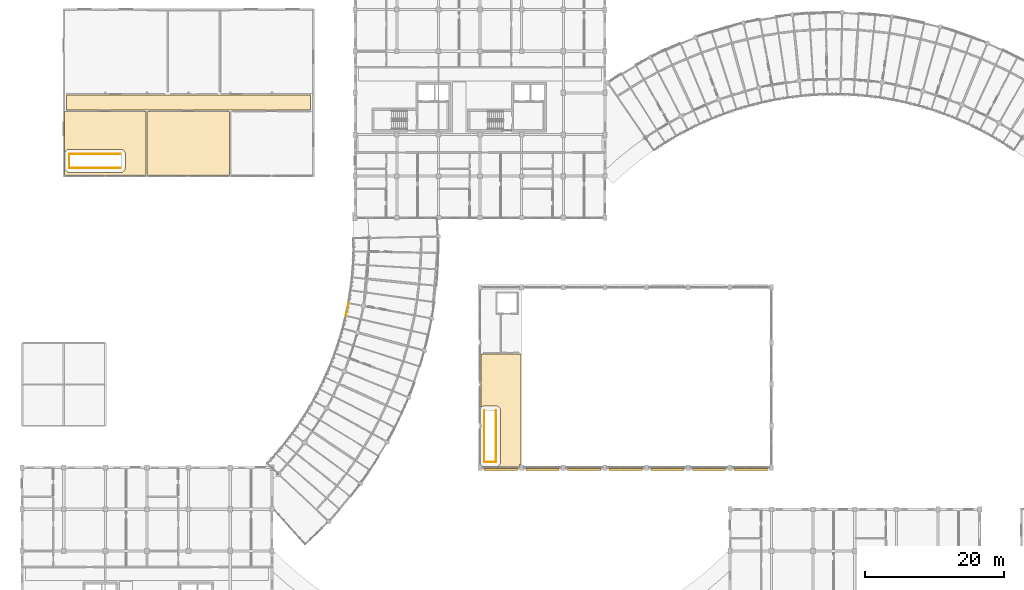
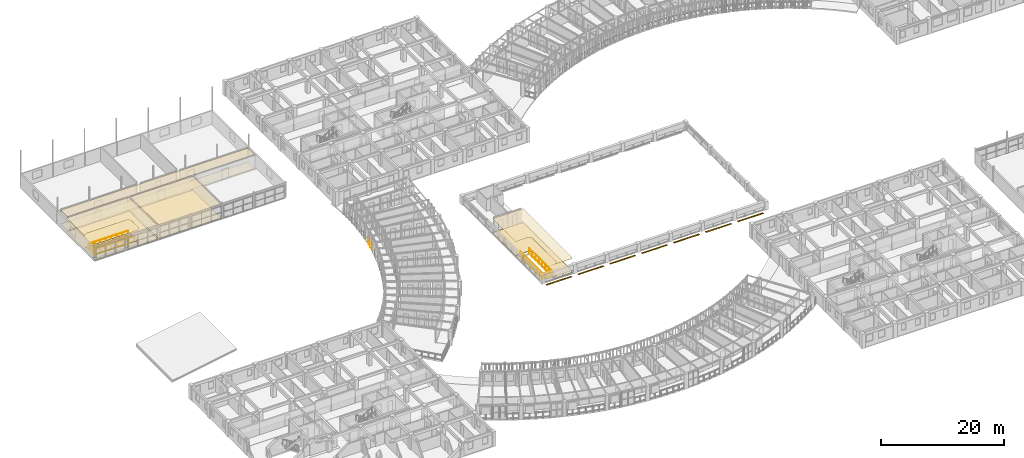
# One storey, part 128 of 137: 8 coverings, 7 railings, 7 shading devices.
"""IFC4 building model written with IfcOpenShell, lengths in metres."""

from ifc_helpers import new_model, si_unit, direction, frame, origin, origin_2d, place, context, subcontext, project, spatial, polyline, rectangle, circle, outline, extrude, material, layer, layer_set, type_object, element, save


model = new_model("IFC4")

# Units and contexts
model_context = context("Model", 3, precision=1e-05, world=origin(), true_north=direction((0.0, 1.0)))
body_context = subcontext(model_context, "Body", "Model", "MODEL_VIEW")
ifc_project = project(units=[si_unit("LENGTHUNIT", "METRE"), si_unit("AREAUNIT", "SQUARE_METRE"), si_unit("VOLUMEUNIT", "CUBIC_METRE"), si_unit("PLANEANGLEUNIT", "RADIAN"), si_unit("MASSUNIT", "GRAM", prefix="KILO"), si_unit("POWERUNIT", "WATT"), si_unit("THERMODYNAMICTEMPERATUREUNIT", "KELVIN")], contexts=[model_context])

# Site, building, storey
site_placement = place(None, origin())
site = spatial("IfcSite", under=ifc_project, at=site_placement, CompositionType="ELEMENT")
building_placement = place(site_placement, origin())
building = spatial("IfcBuilding", under=site, at=building_placement, Name="Ruvembo Vaulted Housing Court", CompositionType="ELEMENT")
storey_placement = place(building_placement, frame((0.0, 0.0, 4.5)))
storey = spatial("IfcBuildingStorey", under=building, at=storey_placement, Name="L01", CompositionType="ELEMENT", Elevation=4.5)

# Coverings
ifc_material_1 = material(Name="Perforated Mineral-Fibre Acoustic Tile", Category="gypsum")
ifc_layer_1 = layer(ifc_material_1, 0.02001953125, Name="Perforated Mineral-Fibre Acoustic Tile")
ifc_layer_set_1 = layer_set([ifc_layer_1], Name="Perforated Mineral-Fibre Acoustic Tile")
covering_type_1 = type_object("IfcCoveringType", Name="COV-CEIL-ACOUST", PredefinedType="CEILING", material=ifc_layer_set_1)
covering_1_placement = place(storey_placement, frame((0.0, 0.0, 2.75)))
element("IfcCovering", 1, at=covering_1_placement, inside=storey, type_object=covering_type_1, Name="Community Hall Mezzanine Reading Gallery Ceiling", PredefinedType="CEILING", context=body_context, shape_type="SweptSolid", body=[
    extrude(outline(polyline([(66.159912109375, 53.840087890625), (66.110107421875, 53.840087890625), (66.110107421875, 50.64599609375), (66.140380859375, 50.6796875), (66.1875, 50.722412109375), (66.239013671875, 50.760498046875), (66.293701171875, 50.793212890625), (66.351318359375, 50.820556640625), (66.411376953125, 50.842041015625), (66.47314453125, 50.857421875), (66.536376953125, 50.866943359375), (66.60009765625, 50.8701171875), (68.300048828125, 50.8701171875), (68.36376953125, 50.866943359375), (68.4267578125, 50.857421875), (68.48876953125, 50.842041015625), (68.548583984375, 50.820556640625), (68.6064453125, 50.793212890625), (68.6611328125, 50.760498046875), (68.71240234375, 50.722412109375), (68.759521484375, 50.6796875), (68.802490234375, 50.63232421875), (68.840576171875, 50.5810546875), (68.873291015625, 50.5263671875), (68.900390625, 50.46875), (68.922119140625, 50.40869140625), (68.9375, 50.3466796875), (68.947021484375, 50.28369140625), (68.949951171875, 50.219970703125), (68.949951171875, 42.800048828125), (68.947021484375, 42.736328125), (68.9375, 42.673095703125), (68.922119140625, 42.611328125), (68.900390625, 42.55126953125), (68.873291015625, 42.49365234375), (68.840576171875, 42.43896484375), (68.802490234375, 42.3876953125), (68.759521484375, 42.34033203125), (68.71240234375, 42.297607421875), (68.6611328125, 42.259521484375), (68.6064453125, 42.226806640625), (68.548583984375, 42.199462890625), (68.48876953125, 42.177978515625), (68.4267578125, 42.16259765625), (68.36376953125, 42.153076171875), (68.300048828125, 42.14990234375), (66.60009765625, 42.14990234375), (66.536376953125, 42.153076171875), (66.47314453125, 42.16259765625), (66.411376953125, 42.177978515625), (66.351318359375, 42.199462890625), (66.320068359375, 42.21435546875), (66.320068359375, 42.110107421875), (71.679931640625, 42.110107421875), (71.679931640625, 42.419921875), (71.889892578125, 42.419921875), (71.889892578125, 58.389892578125), (66.110107421875, 58.389892578125), (66.110107421875, 54.159912109375), (66.159912109375, 54.159912109375), (66.159912109375, 53.840087890625)])), origin(), (0.0, 0.0, 1.0), 0.02001953125),
])
covering_2_placement = place(storey_placement, frame((0.0, 0.0, 2.75)))
element("IfcCovering", 2, at=covering_2_placement, inside=storey, type_object=covering_type_1, Name="Nursery L01 Central Corridor Ceiling", PredefinedType="CEILING", context=body_context, shape_type="SweptSolid", body=[
    extrude(outline(polyline([(6.409912109375, 95.68994140625), (6.409912109375, 93.510009765625), (41.590087890625, 93.510009765625), (41.590087890625, 95.68994140625), (6.409912109375, 95.68994140625)])), origin(), (0.0, 0.0, 1.0), 0.02001953125),
])
covering_3_placement = place(storey_placement, frame((0.0, 0.0, 2.75)))
element("IfcCovering", 3, at=covering_3_placement, inside=storey, type_object=covering_type_1, Name="Nursery Upper Movement Studio Ceiling", PredefinedType="CEILING", context=body_context, shape_type="SweptSolid", body=[
    extrude(outline(polyline([(17.889892578125, 84.110107421875), (17.889892578125, 93.2900390625), (6.110107421875, 93.2900390625), (6.110107421875, 84.110107421875), (11.889892578125, 84.110107421875), (12.110107421875, 84.110107421875), (17.889892578125, 84.110107421875)]), holes=[polyline([(14.3466796875, 84.5625), (14.40869140625, 84.577880859375), (14.46875, 84.599609375), (14.5263671875, 84.626708984375), (14.5810546875, 84.659423828125), (14.63232421875, 84.697509765625), (14.6796875, 84.740478515625), (14.722412109375, 84.78759765625), (14.760498046875, 84.8388671875), (14.793212890625, 84.8935546875), (14.820556640625, 84.951416015625), (14.842041015625, 85.01123046875), (14.857421875, 85.0732421875), (14.866943359375, 85.13623046875), (14.8701171875, 85.199951171875), (14.8701171875, 87.199951171875), (14.866943359375, 87.263671875), (14.857421875, 87.326904296875), (14.842041015625, 87.388671875), (14.820556640625, 87.44873046875), (14.793212890625, 87.50634765625), (14.760498046875, 87.56103515625), (14.722412109375, 87.6123046875), (14.6796875, 87.65966796875), (14.63232421875, 87.702392578125), (14.5810546875, 87.740478515625), (14.5263671875, 87.773193359375), (14.46875, 87.800537109375), (14.40869140625, 87.822021484375), (14.3466796875, 87.83740234375), (14.28369140625, 87.846923828125), (14.219970703125, 87.85009765625), (6.800048828125, 87.85009765625), (6.736328125, 87.846923828125), (6.673095703125, 87.83740234375), (6.611328125, 87.822021484375), (6.55126953125, 87.800537109375), (6.49365234375, 87.773193359375), (6.43896484375, 87.740478515625), (6.3876953125, 87.702392578125), (6.34033203125, 87.65966796875), (6.297607421875, 87.6123046875), (6.259521484375, 87.56103515625), (6.226806640625, 87.50634765625), (6.199462890625, 87.44873046875), (6.177978515625, 87.388671875), (6.16259765625, 87.326904296875), (6.153076171875, 87.263671875), (6.14990234375, 87.199951171875), (6.14990234375, 85.199951171875), (6.153076171875, 85.13623046875), (6.16259765625, 85.0732421875), (6.177978515625, 85.01123046875), (6.199462890625, 84.951416015625), (6.226806640625, 84.8935546875), (6.259521484375, 84.8388671875), (6.297607421875, 84.78759765625), (6.34033203125, 84.740478515625), (6.3876953125, 84.697509765625), (6.43896484375, 84.659423828125), (6.49365234375, 84.626708984375), (6.55126953125, 84.599609375), (6.611328125, 84.577880859375), (6.673095703125, 84.5625), (6.736328125, 84.552978515625), (6.800048828125, 84.550048828125), (14.219970703125, 84.550048828125), (14.28369140625, 84.552978515625), (14.3466796875, 84.5625)])]), origin(), (0.0, 0.0, 1.0), 0.02001953125),
])
covering_4_placement = place(storey_placement, frame((0.0, 0.0, 2.75)))
element("IfcCovering", 4, at=covering_4_placement, inside=storey, type_object=covering_type_1, Name="Early Reading & Art Classroom Ceiling", PredefinedType="CEILING", context=body_context, shape_type="SweptSolid", body=[
    extrude(outline(polyline([(29.889892578125, 84.110107421875), (29.889892578125, 93.2900390625), (18.110107421875, 93.2900390625), (18.110107421875, 84.110107421875), (23.889892578125, 84.110107421875), (24.110107421875, 84.110107421875), (29.889892578125, 84.110107421875)])), origin(), (0.0, 0.0, 1.0), 0.02001953125),
])
ifc_material_2 = material(Name="Polished Cement-Aggregate Terrazzo", Category="stone")
ifc_layer_2 = layer(ifc_material_2, 0.02197265625, Name="Polished Cement-Aggregate Terrazzo")
ifc_layer_set_2 = layer_set([ifc_layer_2], Name="Polished Cement-Aggregate Terrazzo")
covering_type_2 = type_object("IfcCoveringType", Name="COV-FLR-CERAMIC", PredefinedType="FLOORING", material=ifc_layer_set_2)
covering_5_placement = place(storey_placement, origin())
element("IfcCovering", 5, at=covering_5_placement, inside=storey, type_object=covering_type_2, Name="Community Hall Mezzanine Reading Gallery Flooring", PredefinedType="FLOORING", context=body_context, shape_type="SweptSolid", body=[
    extrude(outline(polyline([(66.159912109375, 53.840087890625), (66.110107421875, 53.840087890625), (66.110107421875, 50.64599609375), (66.140380859375, 50.6796875), (66.1875, 50.722412109375), (66.239013671875, 50.760498046875), (66.293701171875, 50.793212890625), (66.351318359375, 50.820556640625), (66.411376953125, 50.842041015625), (66.47314453125, 50.857421875), (66.536376953125, 50.866943359375), (66.60009765625, 50.8701171875), (68.300048828125, 50.8701171875), (68.36376953125, 50.866943359375), (68.4267578125, 50.857421875), (68.48876953125, 50.842041015625), (68.548583984375, 50.820556640625), (68.6064453125, 50.793212890625), (68.6611328125, 50.760498046875), (68.71240234375, 50.722412109375), (68.759521484375, 50.6796875), (68.802490234375, 50.63232421875), (68.840576171875, 50.5810546875), (68.873291015625, 50.5263671875), (68.900390625, 50.46875), (68.922119140625, 50.40869140625), (68.9375, 50.3466796875), (68.947021484375, 50.28369140625), (68.949951171875, 50.219970703125), (68.949951171875, 42.800048828125), (68.947021484375, 42.736328125), (68.9375, 42.673095703125), (68.922119140625, 42.611328125), (68.900390625, 42.55126953125), (68.873291015625, 42.49365234375), (68.840576171875, 42.43896484375), (68.802490234375, 42.3876953125), (68.759521484375, 42.34033203125), (68.71240234375, 42.297607421875), (68.6611328125, 42.259521484375), (68.6064453125, 42.226806640625), (68.548583984375, 42.199462890625), (68.48876953125, 42.177978515625), (68.4267578125, 42.16259765625), (68.36376953125, 42.153076171875), (68.300048828125, 42.14990234375), (66.60009765625, 42.14990234375), (66.536376953125, 42.153076171875), (66.47314453125, 42.16259765625), (66.411376953125, 42.177978515625), (66.351318359375, 42.199462890625), (66.320068359375, 42.21435546875), (66.320068359375, 42.110107421875), (71.679931640625, 42.110107421875), (71.679931640625, 42.419921875), (71.889892578125, 42.419921875), (71.889892578125, 58.389892578125), (66.110107421875, 58.389892578125), (66.110107421875, 54.159912109375), (66.159912109375, 54.159912109375), (66.159912109375, 53.840087890625)])), origin(), (0.0, 0.0, 1.0), 0.02197265625),
])
covering_6_placement = place(storey_placement, origin())
element("IfcCovering", 6, at=covering_6_placement, inside=storey, type_object=covering_type_2, Name="Nursery L01 Central Corridor Flooring", PredefinedType="FLOORING", context=body_context, shape_type="SweptSolid", body=[
    extrude(outline(polyline([(6.409912109375, 95.68994140625), (6.409912109375, 93.510009765625), (41.590087890625, 93.510009765625), (41.590087890625, 95.68994140625), (6.409912109375, 95.68994140625)])), origin(), (0.0, 0.0, 1.0), 0.02197265625),
])
covering_7_placement = place(storey_placement, origin())
element("IfcCovering", 7, at=covering_7_placement, inside=storey, type_object=covering_type_2, Name="Nursery Upper Movement Studio Flooring", PredefinedType="FLOORING", context=body_context, shape_type="SweptSolid", body=[
    extrude(outline(polyline([(17.889892578125, 84.110107421875), (17.889892578125, 93.2900390625), (6.110107421875, 93.2900390625), (6.110107421875, 84.110107421875), (11.889892578125, 84.110107421875), (12.110107421875, 84.110107421875), (17.889892578125, 84.110107421875)]), holes=[polyline([(14.3466796875, 84.5625), (14.40869140625, 84.577880859375), (14.46875, 84.599609375), (14.5263671875, 84.626708984375), (14.5810546875, 84.659423828125), (14.63232421875, 84.697509765625), (14.6796875, 84.740478515625), (14.722412109375, 84.78759765625), (14.760498046875, 84.8388671875), (14.793212890625, 84.8935546875), (14.820556640625, 84.951416015625), (14.842041015625, 85.01123046875), (14.857421875, 85.0732421875), (14.866943359375, 85.13623046875), (14.8701171875, 85.199951171875), (14.8701171875, 87.199951171875), (14.866943359375, 87.263671875), (14.857421875, 87.326904296875), (14.842041015625, 87.388671875), (14.820556640625, 87.44873046875), (14.793212890625, 87.50634765625), (14.760498046875, 87.56103515625), (14.722412109375, 87.6123046875), (14.6796875, 87.65966796875), (14.63232421875, 87.702392578125), (14.5810546875, 87.740478515625), (14.5263671875, 87.773193359375), (14.46875, 87.800537109375), (14.40869140625, 87.822021484375), (14.3466796875, 87.83740234375), (14.28369140625, 87.846923828125), (14.219970703125, 87.85009765625), (6.800048828125, 87.85009765625), (6.736328125, 87.846923828125), (6.673095703125, 87.83740234375), (6.611328125, 87.822021484375), (6.55126953125, 87.800537109375), (6.49365234375, 87.773193359375), (6.43896484375, 87.740478515625), (6.3876953125, 87.702392578125), (6.34033203125, 87.65966796875), (6.297607421875, 87.6123046875), (6.259521484375, 87.56103515625), (6.226806640625, 87.50634765625), (6.199462890625, 87.44873046875), (6.177978515625, 87.388671875), (6.16259765625, 87.326904296875), (6.153076171875, 87.263671875), (6.14990234375, 87.199951171875), (6.14990234375, 85.199951171875), (6.153076171875, 85.13623046875), (6.16259765625, 85.0732421875), (6.177978515625, 85.01123046875), (6.199462890625, 84.951416015625), (6.226806640625, 84.8935546875), (6.259521484375, 84.8388671875), (6.297607421875, 84.78759765625), (6.34033203125, 84.740478515625), (6.3876953125, 84.697509765625), (6.43896484375, 84.659423828125), (6.49365234375, 84.626708984375), (6.55126953125, 84.599609375), (6.611328125, 84.577880859375), (6.673095703125, 84.5625), (6.736328125, 84.552978515625), (6.800048828125, 84.550048828125), (14.219970703125, 84.550048828125), (14.28369140625, 84.552978515625), (14.3466796875, 84.5625)])]), origin(), (0.0, 0.0, 1.0), 0.02197265625),
])
covering_8_placement = place(storey_placement, origin())
element("IfcCovering", 8, at=covering_8_placement, inside=storey, type_object=covering_type_2, Name="Early Reading & Art Classroom Flooring", PredefinedType="FLOORING", context=body_context, shape_type="SweptSolid", body=[
    extrude(outline(polyline([(29.889892578125, 84.110107421875), (29.889892578125, 93.2900390625), (18.110107421875, 93.2900390625), (18.110107421875, 84.110107421875), (23.889892578125, 84.110107421875), (24.110107421875, 84.110107421875), (29.889892578125, 84.110107421875)])), origin(), (0.0, 0.0, 1.0), 0.02197265625),
])

# Railings
ifc_material_3 = material(Name="Galvanised Painted Steel S275", Category="steel")
ifc_layer_3 = layer(ifc_material_3, 0.06005859375, Name="Galvanised Painted Steel S275")
ifc_layer_set_3 = layer_set([ifc_layer_3], Name="Galvanised Painted Steel S275")
railing_type_1 = type_object("IfcRailingType", Name="RL-GUARD-1100", PredefinedType="GUARDRAIL", material=ifc_layer_set_3)
railing_1_placement = place(storey_placement, frame((46.664794921875, 63.86669921875, 0.0)))
element("IfcRailing", 9, at=railing_1_placement, inside=storey, type_object=railing_type_1, Name="L01 Perimeter Guard RL-EXT-L01-0030", PredefinedType="GUARDRAIL", context=body_context, shape_type="SweptSolid", body=[
    extrude(circle(Radius=0.02392578125, at=origin_2d()), frame((0.0, 0.0, 1.076171875), z_axis=(0.20126745828, 0.979536324103, 0.0), x_axis=(-0.979536324103, 0.20126745828, 0.0)), (0.0, 0.0, 1.0), 1.87646484375),
    extrude(circle(Radius=0.01806640625, at=origin_2d()), frame((0.0, 0.0, 0.1201171875), z_axis=(0.20126745828, 0.979536324103, 0.0), x_axis=(-0.979536324103, 0.20126745828, 0.0)), (0.0, 0.0, 1.0), 1.87646484375),
    extrude(circle(Radius=0.02099609375, at=origin_2d()), origin(), (0.0, 0.0, 1.0), 1.052001953125),
    extrude(circle(Radius=0.02099609375, at=origin_2d()), frame((0.18896484375, 0.9189453125, 0.0)), (0.0, 0.0, 1.0), 1.052001953125),
    extrude(circle(Radius=0.02099609375, at=origin_2d()), frame((0.377685546875, 1.838134765625, 0.0)), (0.0, 0.0, 1.0), 1.052001953125),
])
ifc_material_4 = material(Name="Painted Galvanised Steel S275", Category="steel")
ifc_layer_4 = layer(ifc_material_4, 0.06005859375, Name="Painted Galvanised Steel S275")
ifc_layer_set_4 = layer_set([ifc_layer_4], Name="Painted Galvanised Steel S275")
railing_type_2 = type_object("IfcRailingType", Name="RL-STAIR-GR1100", PredefinedType="GUARDRAIL", material=ifc_layer_set_4)
railing_2_placement = place(storey_placement, frame((66.60009765625, 50.219970703125, 0.0)))
element("IfcRailing", 10, at=railing_2_placement, inside=storey, type_object=railing_type_2, Name="Community Hall Mezzanine Stair L01 Well Guard 1", PredefinedType="GUARDRAIL", context=body_context, shape_type="SweptSolid", body=[
    extrude(circle(Radius=0.02392578125, at=origin_2d()), frame((0.0, 0.0, 1.09619140625), z_axis=(0.0, -1.0, 0.0), x_axis=(1.0, 0.0, 0.0)), (0.0, 0.0, 1.0), 7.419921875),
    extrude(circle(Radius=0.01806640625, at=origin_2d()), frame((0.0, 0.0, 0.1201171875), z_axis=(0.0, -1.0, 0.0), x_axis=(1.0, 0.0, 0.0)), (0.0, 0.0, 1.0), 7.419921875),
    extrude(circle(Radius=0.02099609375, at=origin_2d()), origin(), (0.0, 0.0, 1.0), 1.072021484375),
    extrude(circle(Radius=0.02099609375, at=origin_2d()), frame((0.0, -1.06005859375, 0.0)), (0.0, 0.0, 1.0), 1.072021484375),
    extrude(circle(Radius=0.02099609375, at=origin_2d()), frame((0.0, -2.119873046875, 0.0)), (0.0, 0.0, 1.0), 1.072021484375),
    extrude(circle(Radius=0.02099609375, at=origin_2d()), frame((0.0, -3.179931640625, 0.0)), (0.0, 0.0, 1.0), 1.072021484375),
    extrude(circle(Radius=0.02099609375, at=origin_2d()), frame((0.0, -4.239990234375, 0.0)), (0.0, 0.0, 1.0), 1.072021484375),
    extrude(circle(Radius=0.02099609375, at=origin_2d()), frame((0.0, -5.300048828125, 0.0)), (0.0, 0.0, 1.0), 1.072021484375),
    extrude(circle(Radius=0.02099609375, at=origin_2d()), frame((0.0, -6.35986328125, 0.0)), (0.0, 0.0, 1.0), 1.072021484375),
    extrude(circle(Radius=0.02099609375, at=origin_2d()), frame((0.0, -7.419921875, 0.0)), (0.0, 0.0, 1.0), 1.072021484375),
])
railing_3_placement = place(storey_placement, frame((66.60009765625, 42.800048828125, 0.0)))
element("IfcRailing", 11, at=railing_3_placement, inside=storey, type_object=railing_type_2, Name="Community Hall Mezzanine Stair L01 Well Guard 2", PredefinedType="GUARDRAIL", context=body_context, shape_type="SweptSolid", body=[
    extrude(circle(Radius=0.02392578125, at=origin_2d()), frame((0.0, 0.0, 1.09619140625), z_axis=(1.0, 0.0, 0.0), x_axis=(0.0, 1.0, 0.0)), (0.0, 0.0, 1.0), 1.699951171875),
    extrude(circle(Radius=0.01806640625, at=origin_2d()), frame((0.0, 0.0, 0.1201171875), z_axis=(1.0, 0.0, 0.0), x_axis=(0.0, 1.0, 0.0)), (0.0, 0.0, 1.0), 1.699951171875),
    extrude(circle(Radius=0.02099609375, at=origin_2d()), origin(), (0.0, 0.0, 1.0), 1.072021484375),
    extrude(circle(Radius=0.02099609375, at=origin_2d()), frame((0.85009765625, 0.0, 0.0)), (0.0, 0.0, 1.0), 1.072021484375),
    extrude(circle(Radius=0.02099609375, at=origin_2d()), frame((1.699951171875, 0.0, 0.0)), (0.0, 0.0, 1.0), 1.072021484375),
])
railing_4_placement = place(storey_placement, frame((68.300048828125, 42.800048828125, 0.0)))
element("IfcRailing", 12, at=railing_4_placement, inside=storey, type_object=railing_type_2, Name="Community Hall Mezzanine Stair L01 Well Guard 3", PredefinedType="GUARDRAIL", context=body_context, shape_type="SweptSolid", body=[
    extrude(circle(Radius=0.02392578125, at=origin_2d()), frame((0.0, 0.0, 1.09619140625), z_axis=(0.0, 1.0, 0.0), x_axis=(-1.0, 0.0, 0.0)), (0.0, 0.0, 1.0), 7.419921875),
    extrude(circle(Radius=0.01806640625, at=origin_2d()), frame((0.0, 0.0, 0.1201171875), z_axis=(0.0, 1.0, 0.0), x_axis=(-1.0, 0.0, 0.0)), (0.0, 0.0, 1.0), 7.419921875),
    extrude(circle(Radius=0.02099609375, at=origin_2d()), origin(), (0.0, 0.0, 1.0), 1.072021484375),
    extrude(circle(Radius=0.02099609375, at=origin_2d()), frame((0.0, 1.06005859375, 0.0)), (0.0, 0.0, 1.0), 1.072021484375),
    extrude(circle(Radius=0.02099609375, at=origin_2d()), frame((0.0, 2.119873046875, 0.0)), (0.0, 0.0, 1.0), 1.072021484375),
    extrude(circle(Radius=0.02099609375, at=origin_2d()), frame((0.0, 3.179931640625, 0.0)), (0.0, 0.0, 1.0), 1.072021484375),
    extrude(circle(Radius=0.02099609375, at=origin_2d()), frame((0.0, 4.239990234375, 0.0)), (0.0, 0.0, 1.0), 1.072021484375),
    extrude(circle(Radius=0.02099609375, at=origin_2d()), frame((0.0, 5.300048828125, 0.0)), (0.0, 0.0, 1.0), 1.072021484375),
    extrude(circle(Radius=0.02099609375, at=origin_2d()), frame((0.0, 6.35986328125, 0.0)), (0.0, 0.0, 1.0), 1.072021484375),
    extrude(circle(Radius=0.02099609375, at=origin_2d()), frame((0.0, 7.419921875, 0.0)), (0.0, 0.0, 1.0), 1.072021484375),
])
railing_5_placement = place(storey_placement, frame((14.219970703125, 85.199951171875, 0.0)))
element("IfcRailing", 13, at=railing_5_placement, inside=storey, type_object=railing_type_2, Name="ECD Nursery Mezzanine Stair L01 Well Guard 1", PredefinedType="GUARDRAIL", context=body_context, shape_type="SweptSolid", body=[
    extrude(circle(Radius=0.02392578125, at=origin_2d()), frame((0.0, 0.0, 1.09619140625), z_axis=(-1.0, 0.0, 0.0), x_axis=(0.0, -1.0, 0.0)), (0.0, 0.0, 1.0), 7.419921875),
    extrude(circle(Radius=0.01806640625, at=origin_2d()), frame((0.0, 0.0, 0.1201171875), z_axis=(-1.0, 0.0, 0.0), x_axis=(0.0, -1.0, 0.0)), (0.0, 0.0, 1.0), 7.419921875),
    extrude(circle(Radius=0.02099609375, at=origin_2d()), origin(), (0.0, 0.0, 1.0), 1.072021484375),
    extrude(circle(Radius=0.02099609375, at=origin_2d()), frame((-1.06005859375, 0.0, 0.0)), (0.0, 0.0, 1.0), 1.072021484375),
    extrude(circle(Radius=0.02099609375, at=origin_2d()), frame((-2.119873046875, 0.0, 0.0)), (0.0, 0.0, 1.0), 1.072021484375),
    extrude(circle(Radius=0.02099609375, at=origin_2d()), frame((-3.179931640625, 0.0, 0.0)), (0.0, 0.0, 1.0), 1.072021484375),
    extrude(circle(Radius=0.02099609375, at=origin_2d()), frame((-4.239990234375, 0.0, 0.0)), (0.0, 0.0, 1.0), 1.072021484375),
    extrude(circle(Radius=0.02099609375, at=origin_2d()), frame((-5.300048828125, 0.0, 0.0)), (0.0, 0.0, 1.0), 1.072021484375),
    extrude(circle(Radius=0.02099609375, at=origin_2d()), frame((-6.35986328125, 0.0, 0.0)), (0.0, 0.0, 1.0), 1.072021484375),
    extrude(circle(Radius=0.02099609375, at=origin_2d()), frame((-7.419921875, 0.0, 0.0)), (0.0, 0.0, 1.0), 1.072021484375),
])
railing_6_placement = place(storey_placement, frame((6.800048828125, 85.199951171875, 0.0)))
element("IfcRailing", 14, at=railing_6_placement, inside=storey, type_object=railing_type_2, Name="ECD Nursery Mezzanine Stair L01 Well Guard 2", PredefinedType="GUARDRAIL", context=body_context, shape_type="SweptSolid", body=[
    extrude(circle(Radius=0.02392578125, at=origin_2d()), frame((0.0, 0.0, 1.09619140625), z_axis=(0.0, 1.0, 0.0), x_axis=(-1.0, 0.0, 0.0)), (0.0, 0.0, 1.0), 2.0),
    extrude(circle(Radius=0.01806640625, at=origin_2d()), frame((0.0, 0.0, 0.1201171875), z_axis=(0.0, 1.0, 0.0), x_axis=(-1.0, 0.0, 0.0)), (0.0, 0.0, 1.0), 2.0),
    extrude(circle(Radius=0.02099609375, at=origin_2d()), origin(), (0.0, 0.0, 1.0), 1.072021484375),
    extrude(circle(Radius=0.02099609375, at=origin_2d()), frame((0.0, 1.0, 0.0)), (0.0, 0.0, 1.0), 1.072021484375),
    extrude(circle(Radius=0.02099609375, at=origin_2d()), frame((0.0, 2.0, 0.0)), (0.0, 0.0, 1.0), 1.072021484375),
])
railing_7_placement = place(storey_placement, frame((6.800048828125, 87.199951171875, 0.0)))
element("IfcRailing", 15, at=railing_7_placement, inside=storey, type_object=railing_type_2, Name="ECD Nursery Mezzanine Stair L01 Well Guard 3", PredefinedType="GUARDRAIL", context=body_context, shape_type="SweptSolid", body=[
    extrude(circle(Radius=0.02392578125, at=origin_2d()), frame((0.0, 0.0, 1.09619140625), z_axis=(1.0, 0.0, 0.0), x_axis=(0.0, 1.0, 0.0)), (0.0, 0.0, 1.0), 7.419921875),
    extrude(circle(Radius=0.01806640625, at=origin_2d()), frame((0.0, 0.0, 0.1201171875), z_axis=(1.0, 0.0, 0.0), x_axis=(0.0, 1.0, 0.0)), (0.0, 0.0, 1.0), 7.419921875),
    extrude(circle(Radius=0.02099609375, at=origin_2d()), origin(), (0.0, 0.0, 1.0), 1.072021484375),
    extrude(circle(Radius=0.02099609375, at=origin_2d()), frame((1.06005859375, 0.0, 0.0)), (0.0, 0.0, 1.0), 1.072021484375),
    extrude(circle(Radius=0.02099609375, at=origin_2d()), frame((2.119873046875, 0.0, 0.0)), (0.0, 0.0, 1.0), 1.072021484375),
    extrude(circle(Radius=0.02099609375, at=origin_2d()), frame((3.179931640625, 0.0, 0.0)), (0.0, 0.0, 1.0), 1.072021484375),
    extrude(circle(Radius=0.02099609375, at=origin_2d()), frame((4.239990234375, 0.0, 0.0)), (0.0, 0.0, 1.0), 1.072021484375),
    extrude(circle(Radius=0.02099609375, at=origin_2d()), frame((5.300048828125, 0.0, 0.0)), (0.0, 0.0, 1.0), 1.072021484375),
    extrude(circle(Radius=0.02099609375, at=origin_2d()), frame((6.35986328125, 0.0, 0.0)), (0.0, 0.0, 1.0), 1.072021484375),
    extrude(circle(Radius=0.02099609375, at=origin_2d()), frame((7.419921875, 0.0, 0.0)), (0.0, 0.0, 1.0), 1.072021484375),
])

# Shading devices
ifc_material_5 = material(Name="Anodised Aluminium 6063-T6", Category="aluminium")
shading_device_type = type_object("IfcShadingDeviceType", Name="SHD-LOUVRE-300", PredefinedType="JALOUSIE", material=ifc_material_5)
for number, where, z_axis, x_axis, name in (
    (16, (69.0, 41.75, -0.4775390625), (0.0, 0.0, 1.0), (1.0, 0.0, 0.0), "Hall Solar Louvre S1"),
    (17, (75.0, 41.75, -0.4775390625), (0.0, 0.0, 1.0), (1.0, 0.0, 0.0), "Hall Solar Louvre S2"),
    (18, (81.0, 41.75, -0.4775390625), (0.0, 0.0, 1.0), (1.0, 0.0, 0.0), "Hall Solar Louvre S3"),
    (19, (87.0, 41.75, -0.4775390625), (0.0, 0.0, 1.0), (1.0, 0.0, 0.0), "Hall Solar Louvre S4"),
    (20, (93.0, 41.75, -0.4775390625), (0.0, 0.0, 1.0), (1.0, 0.0, 0.0), "Hall Solar Louvre S5"),
    (21, (99.0, 41.75, -0.4775390625), (0.0, 0.0, 1.0), (1.0, 0.0, 0.0), "Hall Solar Louvre S6"),
    (22, (105.0, 41.75, -0.4775390625), (0.0, 0.0, 1.0), (1.0, 0.0, 0.0), "Hall Solar Louvre S7"),
):
    element("IfcShadingDevice", number, at=place(storey_placement, frame(where, z_axis=z_axis, x_axis=x_axis)), inside=storey, type_object=shading_device_type, Name=name, PredefinedType="JALOUSIE", context=body_context, shape_type="SweptSolid", body=[
        extrude(rectangle(XDim=4.800048828125, YDim=0.300048828125, at=origin_2d()), origin(), (0.0, 0.0, 1.0), 0.054931640625),
    ])

save(model, "model.ifc")
